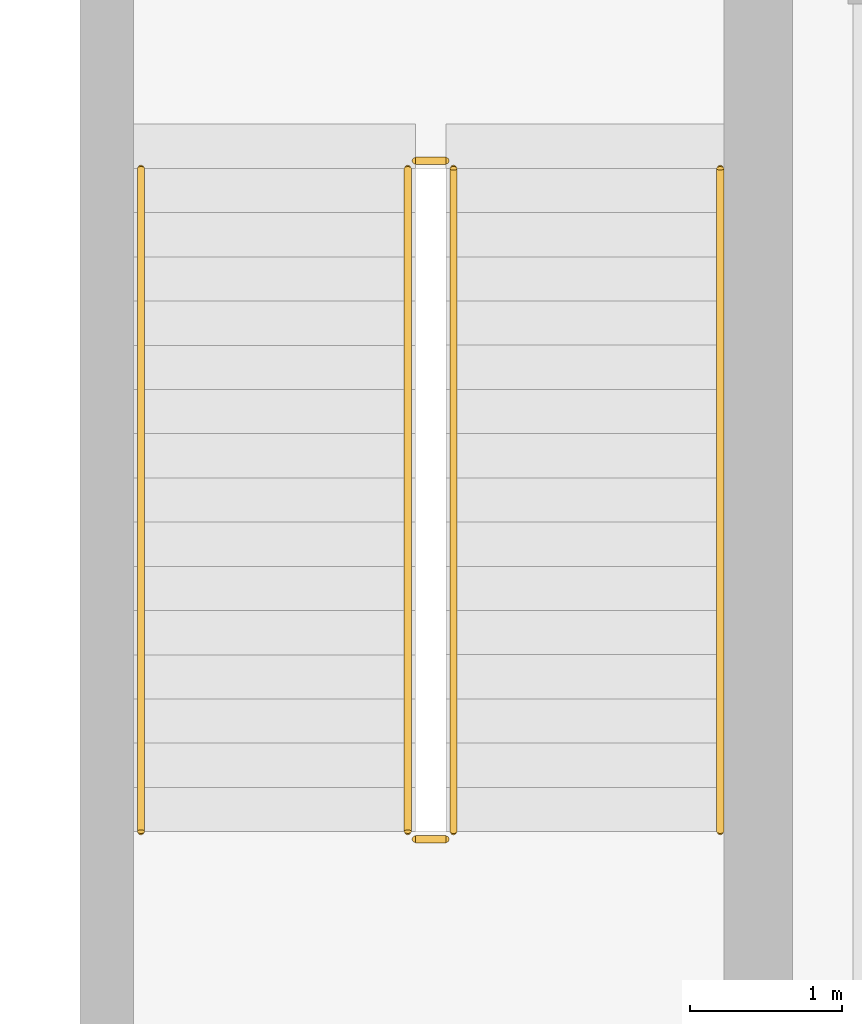
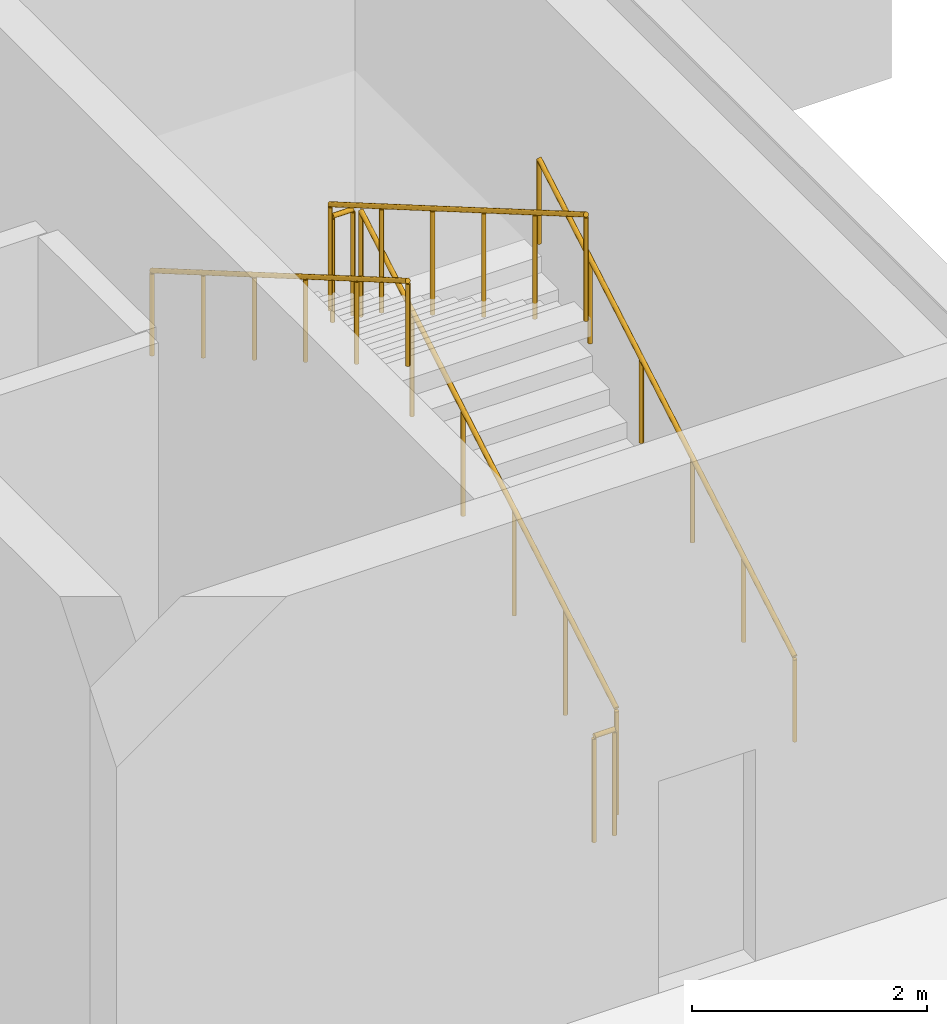
# One storey, part 88 of 98: 6 railings.
"""IFC4 building model written with IfcOpenShell, lengths in metres."""

from ifc_helpers import new_model, si_unit, direction, frame, origin, origin_2d, place, context, subcontext, project, spatial, circle, extrude, material, type_object, element, save


model = new_model("IFC4")

# Units and contexts
model_context = context("Model", 3, precision=1e-05, world=origin(), true_north=direction((0.0, 1.0)))
body_context = subcontext(model_context, "Body", "Model", "MODEL_VIEW")
ifc_project = project(units=[si_unit("LENGTHUNIT", "METRE"), si_unit("AREAUNIT", "SQUARE_METRE"), si_unit("VOLUMEUNIT", "CUBIC_METRE"), si_unit("PLANEANGLEUNIT", "RADIAN"), si_unit("MASSUNIT", "GRAM", prefix="KILO")], contexts=[model_context])

# Site, building, storey
site_placement = place(None, origin())
site = spatial("IfcSite", under=ifc_project, at=site_placement, CompositionType="ELEMENT")
building_placement = place(site_placement, origin())
building = spatial("IfcBuilding", under=site, at=building_placement, Name="Sollismere Congress Hotel", CompositionType="ELEMENT")
storey_placement = place(building_placement, frame((0.0, 0.0, 5.39990234375)))
storey = spatial("IfcBuildingStorey", under=building, at=storey_placement, Name="L01", CompositionType="ELEMENT", Elevation=5.39990234375)

# Railings
ifc_material_1 = material(Name="Steel ASTM A500 Grade C", Category="steel")
railing_type_1 = type_object("IfcRailingType", Name="RL-GRD112", PredefinedType="GUARDRAIL", material=ifc_material_1)
railing_1_placement = place(storey_placement, frame((15.199951171875, 58.449951171875, 0.1689453125)))
element("IfcRailing", 1, at=railing_1_placement, inside=storey, type_object=railing_type_1, Name="RLG-RG-ST-05-L01-1", PredefinedType="GUARDRAIL", context=body_context, shape_type="SweptSolid", body=[
    extrude(circle(Radius=0.02392578125, at=origin_2d()), frame((0.0, 0.0, 1.09619140625), z_axis=(0.0, 0.864323800911, 0.50293574856), x_axis=(-1.0, 0.0, 0.0)), (0.0, 0.0, 1.0), 5.032958984375),
    extrude(circle(Radius=0.02099609375, at=origin_2d()), origin(), (0.0, 0.0, 1.0), 1.072021484375),
    extrude(circle(Radius=0.02099609375, at=origin_2d()), frame((0.0, 0.8701171875, 0.50634765625)), (0.0, 0.0, 1.0), 1.072021484375),
    extrude(circle(Radius=0.02099609375, at=origin_2d()), frame((0.0, 1.739990234375, 1.012451171875)), (0.0, 0.0, 1.0), 1.072021484375),
    extrude(circle(Radius=0.02099609375, at=origin_2d()), frame((0.0, 2.610107421875, 1.518798828125)), (0.0, 0.0, 1.0), 1.072021484375),
    extrude(circle(Radius=0.02099609375, at=origin_2d()), frame((0.0, 3.47998046875, 2.02490234375)), (0.0, 0.0, 1.0), 1.072021484375),
    extrude(circle(Radius=0.02099609375, at=origin_2d()), frame((0.0, 4.35009765625, 2.53125)), (0.0, 0.0, 1.0), 1.072021484375),
])
railing_2_placement = place(storey_placement, frame((15.14990234375, 62.85009765625, 2.7001953125)))
element("IfcRailing", 2, at=railing_2_placement, inside=storey, type_object=railing_type_1, Name="RLG-RG-ST-05-L01-2", PredefinedType="GUARDRAIL", context=body_context, shape_type="SweptSolid", body=[
    extrude(circle(Radius=0.02392578125, at=origin_2d()), frame((0.0, 0.0, 1.09619140625), z_axis=(-1.0, 0.0, 0.0), x_axis=(0.0, -1.0, 0.0)), (0.0, 0.0, 1.0), 0.199951171875),
    extrude(circle(Radius=0.02099609375, at=origin_2d()), origin(), (0.0, 0.0, 1.0), 1.072021484375),
    extrude(circle(Radius=0.02099609375, at=origin_2d()), frame((-0.199951171875, 0.0, 0.0)), (0.0, 0.0, 1.0), 1.072021484375),
])
railing_3_placement = place(storey_placement, frame((14.89990234375, 62.800048828125, 2.868896484375)))
element("IfcRailing", 3, at=railing_3_placement, inside=storey, type_object=railing_type_1, Name="RLG-RG-ST-05-L01-3", PredefinedType="GUARDRAIL", context=body_context, shape_type="SweptSolid", body=[
    extrude(circle(Radius=0.02392578125, at=origin_2d()), frame((0.0, 0.0, 1.09619140625), z_axis=(0.0, -0.864323800911, 0.50293574856), x_axis=(1.0, 0.0, 0.0)), (0.0, 0.0, 1.0), 5.032958984375),
    extrude(circle(Radius=0.02099609375, at=origin_2d()), origin(), (0.0, 0.0, 1.0), 1.072021484375),
    extrude(circle(Radius=0.02099609375, at=origin_2d()), frame((0.0, -0.8701171875, 0.50634765625)), (0.0, 0.0, 1.0), 1.072021484375),
    extrude(circle(Radius=0.02099609375, at=origin_2d()), frame((0.0, -1.739990234375, 1.012451171875)), (0.0, 0.0, 1.0), 1.072021484375),
    extrude(circle(Radius=0.02099609375, at=origin_2d()), frame((0.0, -2.610107421875, 1.518798828125)), (0.0, 0.0, 1.0), 1.072021484375),
    extrude(circle(Radius=0.02099609375, at=origin_2d()), frame((0.0, -3.47998046875, 2.02490234375)), (0.0, 0.0, 1.0), 1.072021484375),
    extrude(circle(Radius=0.02099609375, at=origin_2d()), frame((0.0, -4.35009765625, 2.53125)), (0.0, 0.0, 1.0), 1.072021484375),
])
railing_4_placement = place(storey_placement, frame((15.14990234375, 58.39990234375, 0.0)))
element("IfcRailing", 4, at=railing_4_placement, inside=storey, type_object=railing_type_1, Name="RLG-RG-ST-05-L01-4", PredefinedType="GUARDRAIL", context=body_context, shape_type="SweptSolid", body=[
    extrude(circle(Radius=0.02392578125, at=origin_2d()), frame((0.0, 0.0, 1.09619140625), z_axis=(-1.0, 0.0, 0.0), x_axis=(0.0, -1.0, 0.0)), (0.0, 0.0, 1.0), 0.199951171875),
    extrude(circle(Radius=0.02099609375, at=origin_2d()), origin(), (0.0, 0.0, 1.0), 1.072021484375),
    extrude(circle(Radius=0.02099609375, at=origin_2d()), frame((-0.199951171875, 0.0, 0.0)), (0.0, 0.0, 1.0), 1.072021484375),
])
ifc_material_2 = material(Name="Brushed Architectural Bronze")
railing_type_2 = type_object("IfcRailingType", Name="RL-HND90", PredefinedType="HANDRAIL", material=ifc_material_2)
railing_5_placement = place(storey_placement, frame((16.949951171875, 58.449951171875, 0.3134765625)))
element("IfcRailing", 5, at=railing_5_placement, inside=storey, type_object=railing_type_2, Name="RLG-RH-ST-05-L01-1", PredefinedType="HANDRAIL", context=body_context, shape_type="SweptSolid", body=[
    extrude(circle(Radius=0.02392578125, at=origin_2d()), frame((0.0, 0.0, 0.8759765625), z_axis=(0.0, 0.864323800911, 0.50293574856), x_axis=(-1.0, 0.0, 0.0)), (0.0, 0.0, 1.0), 5.032958984375),
    extrude(circle(Radius=0.02099609375, at=origin_2d()), origin(), (0.0, 0.0, 1.0), 0.851806640625),
    extrude(circle(Radius=0.02099609375, at=origin_2d()), frame((0.0, 0.8701171875, 0.50634765625)), (0.0, 0.0, 1.0), 0.851806640625),
    extrude(circle(Radius=0.02099609375, at=origin_2d()), frame((0.0, 1.739990234375, 1.012451171875)), (0.0, 0.0, 1.0), 0.851806640625),
    extrude(circle(Radius=0.02099609375, at=origin_2d()), frame((0.0, 2.610107421875, 1.518798828125)), (0.0, 0.0, 1.0), 0.851806640625),
    extrude(circle(Radius=0.02099609375, at=origin_2d()), frame((0.0, 3.47998046875, 2.02490234375)), (0.0, 0.0, 1.0), 0.851806640625),
    extrude(circle(Radius=0.02099609375, at=origin_2d()), frame((0.0, 4.35009765625, 2.53125)), (0.0, 0.0, 1.0), 0.851806640625),
])
railing_6_placement = place(storey_placement, frame((13.14990234375, 62.800048828125, 3.013671875)))
element("IfcRailing", 6, at=railing_6_placement, inside=storey, type_object=railing_type_2, Name="RLG-RH-ST-05-L01-2", PredefinedType="HANDRAIL", context=body_context, shape_type="SweptSolid", body=[
    extrude(circle(Radius=0.02392578125, at=origin_2d()), frame((0.0, 0.0, 0.8759765625), z_axis=(0.0, -0.864323800911, 0.50293574856), x_axis=(1.0, 0.0, 0.0)), (0.0, 0.0, 1.0), 5.032958984375),
    extrude(circle(Radius=0.02099609375, at=origin_2d()), origin(), (0.0, 0.0, 1.0), 0.851806640625),
    extrude(circle(Radius=0.02099609375, at=origin_2d()), frame((0.0, -0.8701171875, 0.50634765625)), (0.0, 0.0, 1.0), 0.851806640625),
    extrude(circle(Radius=0.02099609375, at=origin_2d()), frame((0.0, -1.739990234375, 1.012451171875)), (0.0, 0.0, 1.0), 0.851806640625),
    extrude(circle(Radius=0.02099609375, at=origin_2d()), frame((0.0, -2.610107421875, 1.518798828125)), (0.0, 0.0, 1.0), 0.851806640625),
    extrude(circle(Radius=0.02099609375, at=origin_2d()), frame((0.0, -3.47998046875, 2.02490234375)), (0.0, 0.0, 1.0), 0.851806640625),
    extrude(circle(Radius=0.02099609375, at=origin_2d()), frame((0.0, -4.35009765625, 2.53125)), (0.0, 0.0, 1.0), 0.851806640625),
])

save(model, "model.ifc")
